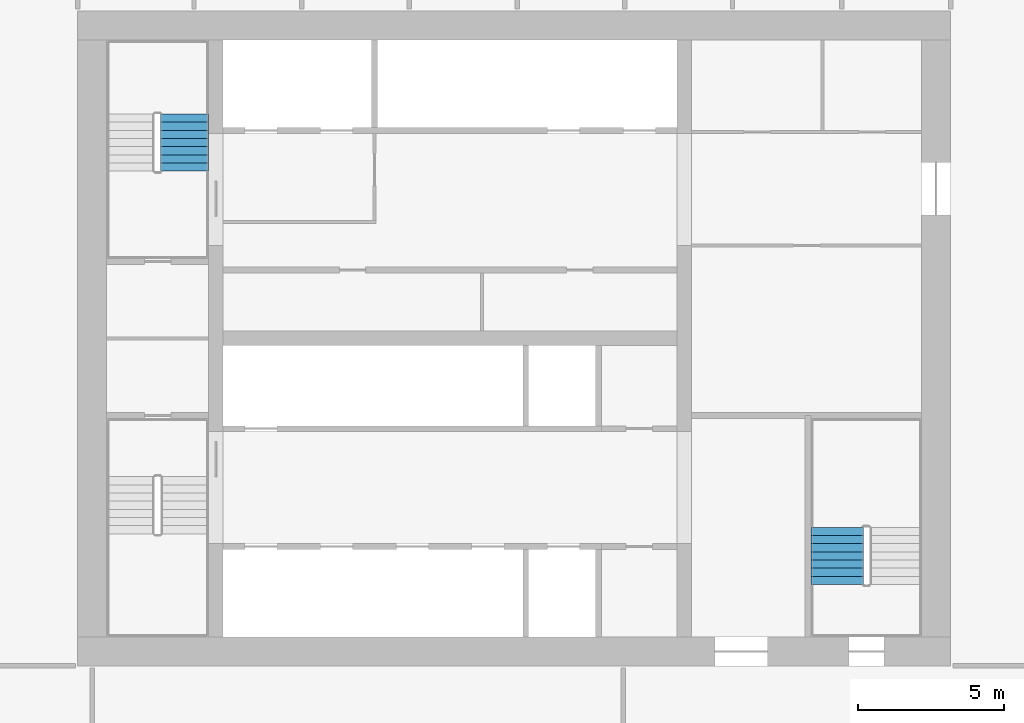
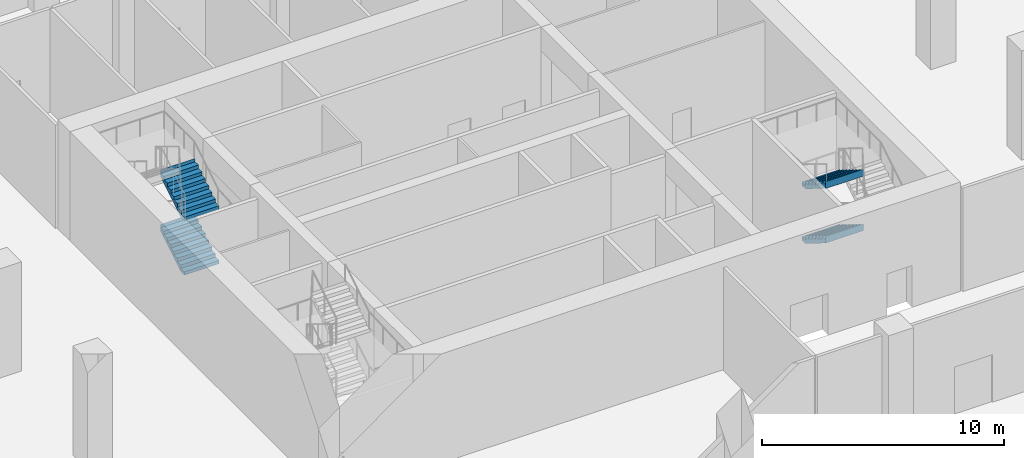
# One storey, part 18 of 35: 4 stair flights, 2 elements without a shape of their own.
"""IFC4 building model written with IfcOpenShell, lengths in metres."""

from ifc_helpers import new_model, si_unit, direction, frame, origin, place, context, subcontext, project, spatial, polyline, outline, extrude, material, type_object, element, aggregate, save


model = new_model("IFC4")

# Units and contexts
model_context = context("Model", 3, precision=1e-05, world=origin(), true_north=direction((0.0, 1.0)))
body_context = subcontext(model_context, "Body", "Model", "MODEL_VIEW")
ifc_project = project(units=[si_unit("LENGTHUNIT", "METRE"), si_unit("AREAUNIT", "SQUARE_METRE"), si_unit("VOLUMEUNIT", "CUBIC_METRE"), si_unit("PLANEANGLEUNIT", "RADIAN"), si_unit("MASSUNIT", "GRAM", prefix="KILO")], contexts=[model_context])

# Site, building, storey
site_placement = place(None, origin())
site = spatial("IfcSite", under=ifc_project, at=site_placement, CompositionType="ELEMENT")
building_placement = place(site_placement, origin())
building = spatial("IfcBuilding", under=site, at=building_placement, Name="Tamorin Gate", CompositionType="ELEMENT")
storey_placement = place(building_placement, frame((0.0, 0.0, 8.0)))
storey = spatial("IfcBuildingStorey", under=building, at=storey_placement, Name="L01", CompositionType="ELEMENT", Elevation=8.0)

# Stair, stair flights
ifc_material = material(Name="Concrete C40/50", Category="concrete")
stair_type = type_object("IfcStairType", Name="Exit stair", PredefinedType="HALF_TURN_STAIR", material=ifc_material)
stair_1_placement = place(storey_placement, origin())
stair_1 = element("IfcStair", 1, at=stair_1_placement, inside=storey, type_object=stair_type, Name="L01 stair ST2", PredefinedType="HALF_TURN_STAIR")
stair_flight_type = type_object("IfcStairFlightType", Name="Exit stair flight", PredefinedType="STRAIGHT", material=ifc_material)
stair_flight_1_placement = place(storey_placement, frame((33.675048828125, 77.0, 0.0), z_axis=(0.0, 0.0, 1.0), x_axis=(0.0, 1.0, 0.0)))
stair_flight_1 = element("IfcStairFlight", 2, at=stair_flight_1_placement, type_object=stair_flight_type, Name="ST2 flight 1", NumberOfRisers=8, NumberOfTreads=7, PredefinedType="STRAIGHT", RiserHeight=0.171875, TreadLength=0.28, context=body_context, shape_type="SweptSolid", body=[
    extrude(outline(polyline([(-0.00048828125, 0.0), (-0.00048828125, 0.001708984375), (-0.00048828125, 0.00341796875), (-0.00048828125, 0.005126953125), (-0.00048828125, 0.0068359375), (-0.00048828125, 0.008544921875), (-0.00048828125, 0.01025390625), (-0.00048828125, 0.011962890625), (-0.00048828125, 0.013671875), (-0.00048828125, 0.015380859375), (-0.00048828125, 0.01708984375), (-0.00048828125, 0.018798828125), (-0.00048828125, 0.0205078125), (-0.00048828125, 0.022216796875), (-0.00048828125, 0.02392578125), (-0.00048828125, 0.025634765625), (-0.00048828125, 0.02734375), (-0.00048828125, 0.02880859375), (-0.00048828125, 0.030517578125), (-0.00048828125, 0.0322265625), (-0.00048828125, 0.033935546875), (-0.00048828125, 0.03564453125), (-0.00048828125, 0.037353515625), (-0.00048828125, 0.0390625), (-0.00048828125, 0.040771484375), (-0.00048828125, 0.04248046875), (-0.00048828125, 0.044189453125), (-0.00048828125, 0.0458984375), (-0.00048828125, 0.047607421875), (-0.00048828125, 0.04931640625), (-0.00048828125, 0.051025390625), (-0.00048828125, 0.052734375), (-0.00048828125, 0.054443359375), (-0.00048828125, 0.05615234375), (-0.00048828125, 0.057861328125), (-0.00048828125, 0.0595703125), (-0.00048828125, 0.061279296875), (-0.00048828125, 0.06298828125), (-0.00048828125, 0.064697265625), (-0.00048828125, 0.06640625), (-0.00048828125, 0.068115234375), (-0.00048828125, 0.06982421875), (-0.00048828125, 0.071533203125), (-0.00048828125, 0.0732421875), (-0.00048828125, 0.074951171875), (-0.00048828125, 0.07666015625), (-0.00048828125, 0.078369140625), (-0.00048828125, 0.080078125), (-0.00048828125, 0.081787109375), (-0.00048828125, 0.08349609375), (-0.00048828125, 0.085205078125), (-0.00048828125, 0.086669921875), (-0.00048828125, 0.08837890625), (-0.00048828125, 0.090087890625), (-0.00048828125, 0.091796875), (-0.00048828125, 0.093505859375), (-0.00048828125, 0.09521484375), (-0.00048828125, 0.096923828125), (-0.00048828125, 0.0986328125), (-0.00048828125, 0.100341796875), (-0.00048828125, 0.10205078125), (-0.00048828125, 0.103759765625), (-0.00048828125, 0.10546875), (-0.00048828125, 0.107177734375), (-0.00048828125, 0.10888671875), (-0.00048828125, 0.110595703125), (-0.00048828125, 0.1123046875), (-0.00048828125, 0.114013671875), (-0.00048828125, 0.11572265625), (-0.00048828125, 0.117431640625), (-0.00048828125, 0.119140625), (-0.00048828125, 0.120849609375), (-0.00048828125, 0.12255859375), (-0.00048828125, 0.124267578125), (-0.00048828125, 0.1259765625), (-0.00048828125, 0.127685546875), (-0.00048828125, 0.12939453125), (-0.00048828125, 0.131103515625), (-0.00048828125, 0.1328125), (-0.00048828125, 0.134521484375), (-0.00048828125, 0.13623046875), (-0.00048828125, 0.137939453125), (-0.00048828125, 0.1396484375), (-0.00048828125, 0.141357421875), (-0.00048828125, 0.14306640625), (-0.00048828125, 0.14453125), (-0.00048828125, 0.146240234375), (-0.00048828125, 0.14794921875), (-0.00048828125, 0.149658203125), (-0.00048828125, 0.1513671875), (-0.00048828125, 0.153076171875), (-0.00048828125, 0.15478515625), (-0.00048828125, 0.156494140625), (-0.00048828125, 0.158203125), (-0.00048828125, 0.159912109375), (-0.00048828125, 0.16162109375), (-0.00048828125, 0.163330078125), (-0.00048828125, 0.1650390625), (-0.00048828125, 0.166748046875), (-0.00048828125, 0.16845703125), (-0.00048828125, 0.170166015625), (-0.00048828125, 0.171875), (0.280029296875, 0.171875), (0.280029296875, 0.34375), (0.56005859375, 0.34375), (0.56005859375, 0.515625), (0.840087890625, 0.515625), (0.840087890625, 0.6875), (1.1201171875, 0.6875), (1.1201171875, 0.859375), (1.39990234375, 0.859375), (1.39990234375, 1.03125), (1.679931640625, 1.03125), (1.679931640625, 1.203125), (1.9599609375, 1.203125), (1.9599609375, 1.375), (1.96044921875, 1.375), (1.96044921875, 1.37158203125), (1.96044921875, 1.3681640625), (1.96044921875, 1.36474609375), (1.96044921875, 1.361328125), (1.96044921875, 1.357666015625), (1.96044921875, 1.354248046875), (1.96044921875, 1.350830078125), (1.96044921875, 1.347412109375), (1.96044921875, 1.343994140625), (1.96044921875, 1.340576171875), (1.96044921875, 1.337158203125), (1.96044921875, 1.333740234375), (1.96044921875, 1.330322265625), (1.96044921875, 1.326904296875), (1.96044921875, 1.3232421875), (1.96044921875, 1.31982421875), (1.96044921875, 1.31640625), (1.96044921875, 1.31298828125), (1.96044921875, 1.3095703125), (1.96044921875, 1.30615234375), (1.96044921875, 1.302734375), (1.96044921875, 1.29931640625), (1.96044921875, 1.2958984375), (1.96044921875, 1.29248046875), (1.96044921875, 1.288818359375), (1.96044921875, 1.285400390625), (1.96044921875, 1.281982421875), (1.96044921875, 1.278564453125), (1.96044921875, 1.275146484375), (1.96044921875, 1.271728515625), (1.96044921875, 1.268310546875), (1.96044921875, 1.264892578125), (1.96044921875, 1.261474609375), (1.96044921875, 1.2578125), (1.96044921875, 1.25439453125), (1.96044921875, 1.2509765625), (1.96044921875, 1.24755859375), (1.96044921875, 1.244140625), (1.96044921875, 1.24072265625), (1.96044921875, 1.2373046875), (1.96044921875, 1.23388671875), (1.96044921875, 1.23046875), (1.96044921875, 1.22705078125), (1.96044921875, 1.223388671875), (1.96044921875, 1.219970703125), (1.96044921875, 1.216552734375), (1.96044921875, 1.213134765625), (1.96044921875, 1.209716796875), (1.96044921875, 1.206298828125), (1.96044921875, 1.202880859375), (1.96044921875, 1.199462890625), (1.96044921875, 1.196044921875), (1.96044921875, 1.192626953125), (1.96044921875, 1.18896484375), (1.96044921875, 1.185546875), (1.96044921875, 1.18212890625), (1.96044921875, 1.1787109375), (1.96044921875, 1.17529296875), (1.96044921875, 1.171875), (1.96044921875, 1.16845703125), (1.96044921875, 1.1650390625), (1.96044921875, 1.16162109375), (1.96044921875, 1.157958984375), (1.96044921875, 1.154541015625), (1.96044921875, 1.151123046875), (1.96044921875, 1.147705078125), (1.96044921875, 1.144287109375), (1.96044921875, 1.140869140625), (1.96044921875, 1.137451171875), (1.96044921875, 1.134033203125), (1.96044921875, 1.130615234375), (1.96044921875, 1.127197265625), (1.96044921875, 1.12353515625), (1.96044921875, 1.1201171875), (1.96044921875, 1.11669921875), (1.96044921875, 1.11328125), (1.96044921875, 1.10986328125), (1.96044921875, 1.1064453125), (1.96044921875, 1.10302734375), (1.96044921875, 1.099609375), (1.96044921875, 1.09619140625), (1.96044921875, 1.0927734375), (1.96044921875, 1.089111328125), (1.96044921875, 1.085693359375), (1.96044921875, 1.082275390625), (1.96044921875, 1.078857421875), (1.96044921875, 1.075439453125), (1.96044921875, 1.072021484375), (1.96044921875, 1.068603515625), (1.96044921875, 1.065185546875), (1.96044921875, 1.061767578125), (1.96044921875, 1.05810546875), (1.96044921875, 1.0546875), (1.96044921875, 1.05126953125), (1.96044921875, 1.0478515625), (1.96044921875, 1.04443359375), (1.96044921875, 1.041015625), (1.96044921875, 1.03759765625), (1.96044921875, 1.0341796875), (1.96044921875, 1.03076171875), (1.96044921875, 1.02734375), (1.9599609375, 1.02734375), (0.28662109375, 0.0), (-0.00048828125, 0.0)])), frame((0.0, 0.824951171875, 0.0), z_axis=(0.0, -1.0, 0.0), x_axis=(1.0, 0.0, 0.0)), (0.0, 0.0, 1.0), 1.64990234375),
])
stair_flight_2_placement = place(storey_placement, frame((33.675048828125, 77.0, 2.75), z_axis=(0.0, 0.0, 1.0), x_axis=(0.0, 1.0, 0.0)))
stair_flight_2 = element("IfcStairFlight", 3, at=stair_flight_2_placement, type_object=stair_flight_type, Name="ST2 flight 3", NumberOfRisers=8, NumberOfTreads=7, PredefinedType="STRAIGHT", RiserHeight=0.171875, TreadLength=0.28, context=body_context, shape_type="SweptSolid", body=[
    extrude(outline(polyline([(-0.00048828125, 0.0), (-0.00048828125, 0.001708984375), (-0.00048828125, 0.00341796875), (-0.00048828125, 0.005126953125), (-0.00048828125, 0.0068359375), (-0.00048828125, 0.008544921875), (-0.00048828125, 0.01025390625), (-0.00048828125, 0.011962890625), (-0.00048828125, 0.013671875), (-0.00048828125, 0.015380859375), (-0.00048828125, 0.01708984375), (-0.00048828125, 0.018798828125), (-0.00048828125, 0.0205078125), (-0.00048828125, 0.022216796875), (-0.00048828125, 0.02392578125), (-0.00048828125, 0.025634765625), (-0.00048828125, 0.02734375), (-0.00048828125, 0.02880859375), (-0.00048828125, 0.030517578125), (-0.00048828125, 0.0322265625), (-0.00048828125, 0.033935546875), (-0.00048828125, 0.03564453125), (-0.00048828125, 0.037353515625), (-0.00048828125, 0.0390625), (-0.00048828125, 0.040771484375), (-0.00048828125, 0.04248046875), (-0.00048828125, 0.044189453125), (-0.00048828125, 0.0458984375), (-0.00048828125, 0.047607421875), (-0.00048828125, 0.04931640625), (-0.00048828125, 0.051025390625), (-0.00048828125, 0.052734375), (-0.00048828125, 0.054443359375), (-0.00048828125, 0.05615234375), (-0.00048828125, 0.057861328125), (-0.00048828125, 0.0595703125), (-0.00048828125, 0.061279296875), (-0.00048828125, 0.06298828125), (-0.00048828125, 0.064697265625), (-0.00048828125, 0.06640625), (-0.00048828125, 0.068115234375), (-0.00048828125, 0.06982421875), (-0.00048828125, 0.071533203125), (-0.00048828125, 0.0732421875), (-0.00048828125, 0.074951171875), (-0.00048828125, 0.07666015625), (-0.00048828125, 0.078369140625), (-0.00048828125, 0.080078125), (-0.00048828125, 0.081787109375), (-0.00048828125, 0.08349609375), (-0.00048828125, 0.085205078125), (-0.00048828125, 0.086669921875), (-0.00048828125, 0.08837890625), (-0.00048828125, 0.090087890625), (-0.00048828125, 0.091796875), (-0.00048828125, 0.093505859375), (-0.00048828125, 0.09521484375), (-0.00048828125, 0.096923828125), (-0.00048828125, 0.0986328125), (-0.00048828125, 0.100341796875), (-0.00048828125, 0.10205078125), (-0.00048828125, 0.103759765625), (-0.00048828125, 0.10546875), (-0.00048828125, 0.107177734375), (-0.00048828125, 0.10888671875), (-0.00048828125, 0.110595703125), (-0.00048828125, 0.1123046875), (-0.00048828125, 0.114013671875), (-0.00048828125, 0.11572265625), (-0.00048828125, 0.117431640625), (-0.00048828125, 0.119140625), (-0.00048828125, 0.120849609375), (-0.00048828125, 0.12255859375), (-0.00048828125, 0.124267578125), (-0.00048828125, 0.1259765625), (-0.00048828125, 0.127685546875), (-0.00048828125, 0.12939453125), (-0.00048828125, 0.131103515625), (-0.00048828125, 0.1328125), (-0.00048828125, 0.134521484375), (-0.00048828125, 0.13623046875), (-0.00048828125, 0.137939453125), (-0.00048828125, 0.1396484375), (-0.00048828125, 0.141357421875), (-0.00048828125, 0.14306640625), (-0.00048828125, 0.14453125), (-0.00048828125, 0.146240234375), (-0.00048828125, 0.14794921875), (-0.00048828125, 0.149658203125), (-0.00048828125, 0.1513671875), (-0.00048828125, 0.153076171875), (-0.00048828125, 0.15478515625), (-0.00048828125, 0.156494140625), (-0.00048828125, 0.158203125), (-0.00048828125, 0.159912109375), (-0.00048828125, 0.16162109375), (-0.00048828125, 0.163330078125), (-0.00048828125, 0.1650390625), (-0.00048828125, 0.166748046875), (-0.00048828125, 0.16845703125), (-0.00048828125, 0.170166015625), (-0.00048828125, 0.171875), (0.280029296875, 0.171875), (0.280029296875, 0.34375), (0.56005859375, 0.34375), (0.56005859375, 0.515625), (0.840087890625, 0.515625), (0.840087890625, 0.6875), (1.1201171875, 0.6875), (1.1201171875, 0.859375), (1.39990234375, 0.859375), (1.39990234375, 1.03125), (1.679931640625, 1.03125), (1.679931640625, 1.203125), (1.9599609375, 1.203125), (1.9599609375, 1.375), (1.96044921875, 1.375), (1.96044921875, 1.37158203125), (1.96044921875, 1.3681640625), (1.96044921875, 1.36474609375), (1.96044921875, 1.361328125), (1.96044921875, 1.357666015625), (1.96044921875, 1.354248046875), (1.96044921875, 1.350830078125), (1.96044921875, 1.347412109375), (1.96044921875, 1.343994140625), (1.96044921875, 1.340576171875), (1.96044921875, 1.337158203125), (1.96044921875, 1.333740234375), (1.96044921875, 1.330322265625), (1.96044921875, 1.326904296875), (1.96044921875, 1.3232421875), (1.96044921875, 1.31982421875), (1.96044921875, 1.31640625), (1.96044921875, 1.31298828125), (1.96044921875, 1.3095703125), (1.96044921875, 1.30615234375), (1.96044921875, 1.302734375), (1.96044921875, 1.29931640625), (1.96044921875, 1.2958984375), (1.96044921875, 1.29248046875), (1.96044921875, 1.288818359375), (1.96044921875, 1.285400390625), (1.96044921875, 1.281982421875), (1.96044921875, 1.278564453125), (1.96044921875, 1.275146484375), (1.96044921875, 1.271728515625), (1.96044921875, 1.268310546875), (1.96044921875, 1.264892578125), (1.96044921875, 1.261474609375), (1.96044921875, 1.2578125), (1.96044921875, 1.25439453125), (1.96044921875, 1.2509765625), (1.96044921875, 1.24755859375), (1.96044921875, 1.244140625), (1.96044921875, 1.24072265625), (1.96044921875, 1.2373046875), (1.96044921875, 1.23388671875), (1.96044921875, 1.23046875), (1.96044921875, 1.22705078125), (1.96044921875, 1.223388671875), (1.96044921875, 1.219970703125), (1.96044921875, 1.216552734375), (1.96044921875, 1.213134765625), (1.96044921875, 1.209716796875), (1.96044921875, 1.206298828125), (1.96044921875, 1.202880859375), (1.96044921875, 1.199462890625), (1.96044921875, 1.196044921875), (1.96044921875, 1.192626953125), (1.96044921875, 1.18896484375), (1.96044921875, 1.185546875), (1.96044921875, 1.18212890625), (1.96044921875, 1.1787109375), (1.96044921875, 1.17529296875), (1.96044921875, 1.171875), (1.96044921875, 1.16845703125), (1.96044921875, 1.1650390625), (1.96044921875, 1.16162109375), (1.96044921875, 1.157958984375), (1.96044921875, 1.154541015625), (1.96044921875, 1.151123046875), (1.96044921875, 1.147705078125), (1.96044921875, 1.144287109375), (1.96044921875, 1.140869140625), (1.96044921875, 1.137451171875), (1.96044921875, 1.134033203125), (1.96044921875, 1.130615234375), (1.96044921875, 1.127197265625), (1.96044921875, 1.12353515625), (1.96044921875, 1.1201171875), (1.96044921875, 1.11669921875), (1.96044921875, 1.11328125), (1.96044921875, 1.10986328125), (1.96044921875, 1.1064453125), (1.96044921875, 1.10302734375), (1.96044921875, 1.099609375), (1.96044921875, 1.09619140625), (1.96044921875, 1.0927734375), (1.96044921875, 1.089111328125), (1.96044921875, 1.085693359375), (1.96044921875, 1.082275390625), (1.96044921875, 1.078857421875), (1.96044921875, 1.075439453125), (1.96044921875, 1.072021484375), (1.96044921875, 1.068603515625), (1.96044921875, 1.065185546875), (1.96044921875, 1.061767578125), (1.96044921875, 1.05810546875), (1.96044921875, 1.0546875), (1.96044921875, 1.05126953125), (1.96044921875, 1.0478515625), (1.96044921875, 1.04443359375), (1.96044921875, 1.041015625), (1.96044921875, 1.03759765625), (1.96044921875, 1.0341796875), (1.96044921875, 1.03076171875), (1.96044921875, 1.02734375), (1.9599609375, 1.02734375), (0.28662109375, 0.0), (-0.00048828125, 0.0)])), frame((0.0, 0.824951171875, 0.0), z_axis=(0.0, -1.0, 0.0), x_axis=(1.0, 0.0, 0.0)), (0.0, 0.0, 1.0), 1.64990234375),
])
aggregate(stair_1, [stair_flight_1, stair_flight_2])

stair_2_placement = place(storey_placement, origin())
stair_2 = element("IfcStair", 4, at=stair_2_placement, inside=storey, type_object=stair_type, Name="L01 stair ST3", PredefinedType="HALF_TURN_STAIR")
stair_flight_3_placement = place(storey_placement, frame((56.10009765625, 64.760009765625, 1.375), z_axis=(0.0, 0.0, 1.0), x_axis=(0.0, -1.0, 0.0)))
stair_flight_3 = element("IfcStairFlight", 5, at=stair_flight_3_placement, type_object=stair_flight_type, Name="ST3 flight 2", NumberOfRisers=8, NumberOfTreads=7, PredefinedType="STRAIGHT", RiserHeight=0.171875, TreadLength=0.28, context=body_context, shape_type="SweptSolid", body=[
    extrude(outline(polyline([(-0.00048828125, 0.0), (-0.00048828125, 0.001708984375), (-0.00048828125, 0.00341796875), (-0.00048828125, 0.005126953125), (-0.00048828125, 0.0068359375), (-0.00048828125, 0.008544921875), (-0.00048828125, 0.01025390625), (-0.00048828125, 0.011962890625), (-0.00048828125, 0.013671875), (-0.00048828125, 0.015380859375), (-0.00048828125, 0.01708984375), (-0.00048828125, 0.018798828125), (-0.00048828125, 0.0205078125), (-0.00048828125, 0.022216796875), (-0.00048828125, 0.02392578125), (-0.00048828125, 0.025634765625), (-0.00048828125, 0.02734375), (-0.00048828125, 0.02880859375), (-0.00048828125, 0.030517578125), (-0.00048828125, 0.0322265625), (-0.00048828125, 0.033935546875), (-0.00048828125, 0.03564453125), (-0.00048828125, 0.037353515625), (-0.00048828125, 0.0390625), (-0.00048828125, 0.040771484375), (-0.00048828125, 0.04248046875), (-0.00048828125, 0.044189453125), (-0.00048828125, 0.0458984375), (-0.00048828125, 0.047607421875), (-0.00048828125, 0.04931640625), (-0.00048828125, 0.051025390625), (-0.00048828125, 0.052734375), (-0.00048828125, 0.054443359375), (-0.00048828125, 0.05615234375), (-0.00048828125, 0.057861328125), (-0.00048828125, 0.0595703125), (-0.00048828125, 0.061279296875), (-0.00048828125, 0.06298828125), (-0.00048828125, 0.064697265625), (-0.00048828125, 0.06640625), (-0.00048828125, 0.068115234375), (-0.00048828125, 0.06982421875), (-0.00048828125, 0.071533203125), (-0.00048828125, 0.0732421875), (-0.00048828125, 0.074951171875), (-0.00048828125, 0.07666015625), (-0.00048828125, 0.078369140625), (-0.00048828125, 0.080078125), (-0.00048828125, 0.081787109375), (-0.00048828125, 0.08349609375), (-0.00048828125, 0.085205078125), (-0.00048828125, 0.086669921875), (-0.00048828125, 0.08837890625), (-0.00048828125, 0.090087890625), (-0.00048828125, 0.091796875), (-0.00048828125, 0.093505859375), (-0.00048828125, 0.09521484375), (-0.00048828125, 0.096923828125), (-0.00048828125, 0.0986328125), (-0.00048828125, 0.100341796875), (-0.00048828125, 0.10205078125), (-0.00048828125, 0.103759765625), (-0.00048828125, 0.10546875), (-0.00048828125, 0.107177734375), (-0.00048828125, 0.10888671875), (-0.00048828125, 0.110595703125), (-0.00048828125, 0.1123046875), (-0.00048828125, 0.114013671875), (-0.00048828125, 0.11572265625), (-0.00048828125, 0.117431640625), (-0.00048828125, 0.119140625), (-0.00048828125, 0.120849609375), (-0.00048828125, 0.12255859375), (-0.00048828125, 0.124267578125), (-0.00048828125, 0.1259765625), (-0.00048828125, 0.127685546875), (-0.00048828125, 0.12939453125), (-0.00048828125, 0.131103515625), (-0.00048828125, 0.1328125), (-0.00048828125, 0.134521484375), (-0.00048828125, 0.13623046875), (-0.00048828125, 0.137939453125), (-0.00048828125, 0.1396484375), (-0.00048828125, 0.141357421875), (-0.00048828125, 0.14306640625), (-0.00048828125, 0.14453125), (-0.00048828125, 0.146240234375), (-0.00048828125, 0.14794921875), (-0.00048828125, 0.149658203125), (-0.00048828125, 0.1513671875), (-0.00048828125, 0.153076171875), (-0.00048828125, 0.15478515625), (-0.00048828125, 0.156494140625), (-0.00048828125, 0.158203125), (-0.00048828125, 0.159912109375), (-0.00048828125, 0.16162109375), (-0.00048828125, 0.163330078125), (-0.00048828125, 0.1650390625), (-0.00048828125, 0.166748046875), (-0.00048828125, 0.16845703125), (-0.00048828125, 0.170166015625), (-0.00048828125, 0.171875), (0.280029296875, 0.171875), (0.280029296875, 0.34375), (0.56005859375, 0.34375), (0.56005859375, 0.515625), (0.840087890625, 0.515625), (0.840087890625, 0.6875), (1.1201171875, 0.6875), (1.1201171875, 0.859375), (1.39990234375, 0.859375), (1.39990234375, 1.03125), (1.679931640625, 1.03125), (1.679931640625, 1.203125), (1.9599609375, 1.203125), (1.9599609375, 1.375), (1.96044921875, 1.375), (1.96044921875, 1.37158203125), (1.96044921875, 1.3681640625), (1.96044921875, 1.36474609375), (1.96044921875, 1.361328125), (1.96044921875, 1.357666015625), (1.96044921875, 1.354248046875), (1.96044921875, 1.350830078125), (1.96044921875, 1.347412109375), (1.96044921875, 1.343994140625), (1.96044921875, 1.340576171875), (1.96044921875, 1.337158203125), (1.96044921875, 1.333740234375), (1.96044921875, 1.330322265625), (1.96044921875, 1.326904296875), (1.96044921875, 1.3232421875), (1.96044921875, 1.31982421875), (1.96044921875, 1.31640625), (1.96044921875, 1.31298828125), (1.96044921875, 1.3095703125), (1.96044921875, 1.30615234375), (1.96044921875, 1.302734375), (1.96044921875, 1.29931640625), (1.96044921875, 1.2958984375), (1.96044921875, 1.29248046875), (1.96044921875, 1.288818359375), (1.96044921875, 1.285400390625), (1.96044921875, 1.281982421875), (1.96044921875, 1.278564453125), (1.96044921875, 1.275146484375), (1.96044921875, 1.271728515625), (1.96044921875, 1.268310546875), (1.96044921875, 1.264892578125), (1.96044921875, 1.261474609375), (1.96044921875, 1.2578125), (1.96044921875, 1.25439453125), (1.96044921875, 1.2509765625), (1.96044921875, 1.24755859375), (1.96044921875, 1.244140625), (1.96044921875, 1.24072265625), (1.96044921875, 1.2373046875), (1.96044921875, 1.23388671875), (1.96044921875, 1.23046875), (1.96044921875, 1.22705078125), (1.96044921875, 1.223388671875), (1.96044921875, 1.219970703125), (1.96044921875, 1.216552734375), (1.96044921875, 1.213134765625), (1.96044921875, 1.209716796875), (1.96044921875, 1.206298828125), (1.96044921875, 1.202880859375), (1.96044921875, 1.199462890625), (1.96044921875, 1.196044921875), (1.96044921875, 1.192626953125), (1.96044921875, 1.18896484375), (1.96044921875, 1.185546875), (1.96044921875, 1.18212890625), (1.96044921875, 1.1787109375), (1.96044921875, 1.17529296875), (1.96044921875, 1.171875), (1.96044921875, 1.16845703125), (1.96044921875, 1.1650390625), (1.96044921875, 1.16162109375), (1.96044921875, 1.157958984375), (1.96044921875, 1.154541015625), (1.96044921875, 1.151123046875), (1.96044921875, 1.147705078125), (1.96044921875, 1.144287109375), (1.96044921875, 1.140869140625), (1.96044921875, 1.137451171875), (1.96044921875, 1.134033203125), (1.96044921875, 1.130615234375), (1.96044921875, 1.127197265625), (1.96044921875, 1.12353515625), (1.96044921875, 1.1201171875), (1.96044921875, 1.11669921875), (1.96044921875, 1.11328125), (1.96044921875, 1.10986328125), (1.96044921875, 1.1064453125), (1.96044921875, 1.10302734375), (1.96044921875, 1.099609375), (1.96044921875, 1.09619140625), (1.96044921875, 1.0927734375), (1.96044921875, 1.089111328125), (1.96044921875, 1.085693359375), (1.96044921875, 1.082275390625), (1.96044921875, 1.078857421875), (1.96044921875, 1.075439453125), (1.96044921875, 1.072021484375), (1.96044921875, 1.068603515625), (1.96044921875, 1.065185546875), (1.96044921875, 1.061767578125), (1.96044921875, 1.05810546875), (1.96044921875, 1.0546875), (1.96044921875, 1.05126953125), (1.96044921875, 1.0478515625), (1.96044921875, 1.04443359375), (1.96044921875, 1.041015625), (1.96044921875, 1.03759765625), (1.96044921875, 1.0341796875), (1.96044921875, 1.03076171875), (1.96044921875, 1.02734375), (1.9599609375, 1.02734375), (0.28662109375, 0.0), (-0.00048828125, 0.0)])), frame((0.0, 0.89990234375, 0.0), z_axis=(0.0, -1.0, 0.0), x_axis=(1.0, 0.0, 0.0)), (0.0, 0.0, 1.0), 1.800048828125),
])
stair_flight_4_placement = place(storey_placement, frame((56.10009765625, 64.760009765625, 4.125), z_axis=(0.0, 0.0, 1.0), x_axis=(0.0, -1.0, 0.0)))
stair_flight_4 = element("IfcStairFlight", 6, at=stair_flight_4_placement, type_object=stair_flight_type, Name="ST3 flight 4", NumberOfRisers=8, NumberOfTreads=7, PredefinedType="STRAIGHT", RiserHeight=0.171875, TreadLength=0.28, context=body_context, shape_type="SweptSolid", body=[
    extrude(outline(polyline([(-0.00048828125, 0.0), (-0.00048828125, 0.001708984375), (-0.00048828125, 0.00341796875), (-0.00048828125, 0.005126953125), (-0.00048828125, 0.0068359375), (-0.00048828125, 0.008544921875), (-0.00048828125, 0.01025390625), (-0.00048828125, 0.011962890625), (-0.00048828125, 0.013671875), (-0.00048828125, 0.015380859375), (-0.00048828125, 0.01708984375), (-0.00048828125, 0.018798828125), (-0.00048828125, 0.0205078125), (-0.00048828125, 0.022216796875), (-0.00048828125, 0.02392578125), (-0.00048828125, 0.025634765625), (-0.00048828125, 0.02734375), (-0.00048828125, 0.02880859375), (-0.00048828125, 0.030517578125), (-0.00048828125, 0.0322265625), (-0.00048828125, 0.033935546875), (-0.00048828125, 0.03564453125), (-0.00048828125, 0.037353515625), (-0.00048828125, 0.0390625), (-0.00048828125, 0.040771484375), (-0.00048828125, 0.04248046875), (-0.00048828125, 0.044189453125), (-0.00048828125, 0.0458984375), (-0.00048828125, 0.047607421875), (-0.00048828125, 0.04931640625), (-0.00048828125, 0.051025390625), (-0.00048828125, 0.052734375), (-0.00048828125, 0.054443359375), (-0.00048828125, 0.05615234375), (-0.00048828125, 0.057861328125), (-0.00048828125, 0.0595703125), (-0.00048828125, 0.061279296875), (-0.00048828125, 0.06298828125), (-0.00048828125, 0.064697265625), (-0.00048828125, 0.06640625), (-0.00048828125, 0.068115234375), (-0.00048828125, 0.06982421875), (-0.00048828125, 0.071533203125), (-0.00048828125, 0.0732421875), (-0.00048828125, 0.074951171875), (-0.00048828125, 0.07666015625), (-0.00048828125, 0.078369140625), (-0.00048828125, 0.080078125), (-0.00048828125, 0.081787109375), (-0.00048828125, 0.08349609375), (-0.00048828125, 0.085205078125), (-0.00048828125, 0.086669921875), (-0.00048828125, 0.08837890625), (-0.00048828125, 0.090087890625), (-0.00048828125, 0.091796875), (-0.00048828125, 0.093505859375), (-0.00048828125, 0.09521484375), (-0.00048828125, 0.096923828125), (-0.00048828125, 0.0986328125), (-0.00048828125, 0.100341796875), (-0.00048828125, 0.10205078125), (-0.00048828125, 0.103759765625), (-0.00048828125, 0.10546875), (-0.00048828125, 0.107177734375), (-0.00048828125, 0.10888671875), (-0.00048828125, 0.110595703125), (-0.00048828125, 0.1123046875), (-0.00048828125, 0.114013671875), (-0.00048828125, 0.11572265625), (-0.00048828125, 0.117431640625), (-0.00048828125, 0.119140625), (-0.00048828125, 0.120849609375), (-0.00048828125, 0.12255859375), (-0.00048828125, 0.124267578125), (-0.00048828125, 0.1259765625), (-0.00048828125, 0.127685546875), (-0.00048828125, 0.12939453125), (-0.00048828125, 0.131103515625), (-0.00048828125, 0.1328125), (-0.00048828125, 0.134521484375), (-0.00048828125, 0.13623046875), (-0.00048828125, 0.137939453125), (-0.00048828125, 0.1396484375), (-0.00048828125, 0.141357421875), (-0.00048828125, 0.14306640625), (-0.00048828125, 0.14453125), (-0.00048828125, 0.146240234375), (-0.00048828125, 0.14794921875), (-0.00048828125, 0.149658203125), (-0.00048828125, 0.1513671875), (-0.00048828125, 0.153076171875), (-0.00048828125, 0.15478515625), (-0.00048828125, 0.156494140625), (-0.00048828125, 0.158203125), (-0.00048828125, 0.159912109375), (-0.00048828125, 0.16162109375), (-0.00048828125, 0.163330078125), (-0.00048828125, 0.1650390625), (-0.00048828125, 0.166748046875), (-0.00048828125, 0.16845703125), (-0.00048828125, 0.170166015625), (-0.00048828125, 0.171875), (0.280029296875, 0.171875), (0.280029296875, 0.34375), (0.56005859375, 0.34375), (0.56005859375, 0.515625), (0.840087890625, 0.515625), (0.840087890625, 0.6875), (1.1201171875, 0.6875), (1.1201171875, 0.859375), (1.39990234375, 0.859375), (1.39990234375, 1.03125), (1.679931640625, 1.03125), (1.679931640625, 1.203125), (1.9599609375, 1.203125), (1.9599609375, 1.375), (1.96044921875, 1.375), (1.96044921875, 1.37158203125), (1.96044921875, 1.3681640625), (1.96044921875, 1.36474609375), (1.96044921875, 1.361328125), (1.96044921875, 1.357666015625), (1.96044921875, 1.354248046875), (1.96044921875, 1.350830078125), (1.96044921875, 1.347412109375), (1.96044921875, 1.343994140625), (1.96044921875, 1.340576171875), (1.96044921875, 1.337158203125), (1.96044921875, 1.333740234375), (1.96044921875, 1.330322265625), (1.96044921875, 1.326904296875), (1.96044921875, 1.3232421875), (1.96044921875, 1.31982421875), (1.96044921875, 1.31640625), (1.96044921875, 1.31298828125), (1.96044921875, 1.3095703125), (1.96044921875, 1.30615234375), (1.96044921875, 1.302734375), (1.96044921875, 1.29931640625), (1.96044921875, 1.2958984375), (1.96044921875, 1.29248046875), (1.96044921875, 1.288818359375), (1.96044921875, 1.285400390625), (1.96044921875, 1.281982421875), (1.96044921875, 1.278564453125), (1.96044921875, 1.275146484375), (1.96044921875, 1.271728515625), (1.96044921875, 1.268310546875), (1.96044921875, 1.264892578125), (1.96044921875, 1.261474609375), (1.96044921875, 1.2578125), (1.96044921875, 1.25439453125), (1.96044921875, 1.2509765625), (1.96044921875, 1.24755859375), (1.96044921875, 1.244140625), (1.96044921875, 1.24072265625), (1.96044921875, 1.2373046875), (1.96044921875, 1.23388671875), (1.96044921875, 1.23046875), (1.96044921875, 1.22705078125), (1.96044921875, 1.223388671875), (1.96044921875, 1.219970703125), (1.96044921875, 1.216552734375), (1.96044921875, 1.213134765625), (1.96044921875, 1.209716796875), (1.96044921875, 1.206298828125), (1.96044921875, 1.202880859375), (1.96044921875, 1.199462890625), (1.96044921875, 1.196044921875), (1.96044921875, 1.192626953125), (1.96044921875, 1.18896484375), (1.96044921875, 1.185546875), (1.96044921875, 1.18212890625), (1.96044921875, 1.1787109375), (1.96044921875, 1.17529296875), (1.96044921875, 1.171875), (1.96044921875, 1.16845703125), (1.96044921875, 1.1650390625), (1.96044921875, 1.16162109375), (1.96044921875, 1.157958984375), (1.96044921875, 1.154541015625), (1.96044921875, 1.151123046875), (1.96044921875, 1.147705078125), (1.96044921875, 1.144287109375), (1.96044921875, 1.140869140625), (1.96044921875, 1.137451171875), (1.96044921875, 1.134033203125), (1.96044921875, 1.130615234375), (1.96044921875, 1.127197265625), (1.96044921875, 1.12353515625), (1.96044921875, 1.1201171875), (1.96044921875, 1.11669921875), (1.96044921875, 1.11328125), (1.96044921875, 1.10986328125), (1.96044921875, 1.1064453125), (1.96044921875, 1.10302734375), (1.96044921875, 1.099609375), (1.96044921875, 1.09619140625), (1.96044921875, 1.0927734375), (1.96044921875, 1.089111328125), (1.96044921875, 1.085693359375), (1.96044921875, 1.082275390625), (1.96044921875, 1.078857421875), (1.96044921875, 1.075439453125), (1.96044921875, 1.072021484375), (1.96044921875, 1.068603515625), (1.96044921875, 1.065185546875), (1.96044921875, 1.061767578125), (1.96044921875, 1.05810546875), (1.96044921875, 1.0546875), (1.96044921875, 1.05126953125), (1.96044921875, 1.0478515625), (1.96044921875, 1.04443359375), (1.96044921875, 1.041015625), (1.96044921875, 1.03759765625), (1.96044921875, 1.0341796875), (1.96044921875, 1.03076171875), (1.96044921875, 1.02734375), (1.9599609375, 1.02734375), (0.28662109375, 0.0), (-0.00048828125, 0.0)])), frame((0.0, 0.89990234375, 0.0), z_axis=(0.0, -1.0, 0.0), x_axis=(1.0, 0.0, 0.0)), (0.0, 0.0, 1.0), 1.800048828125),
])
aggregate(stair_2, [stair_flight_3, stair_flight_4])

save(model, "model.ifc")
